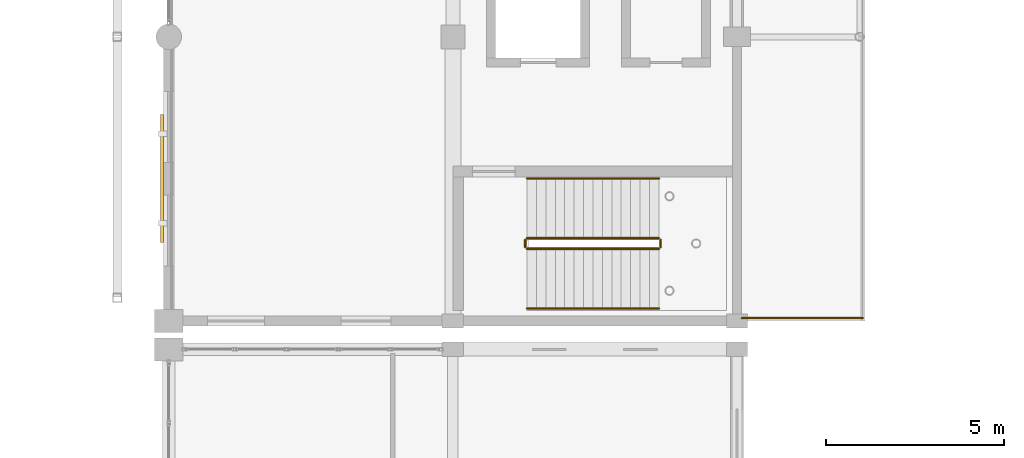
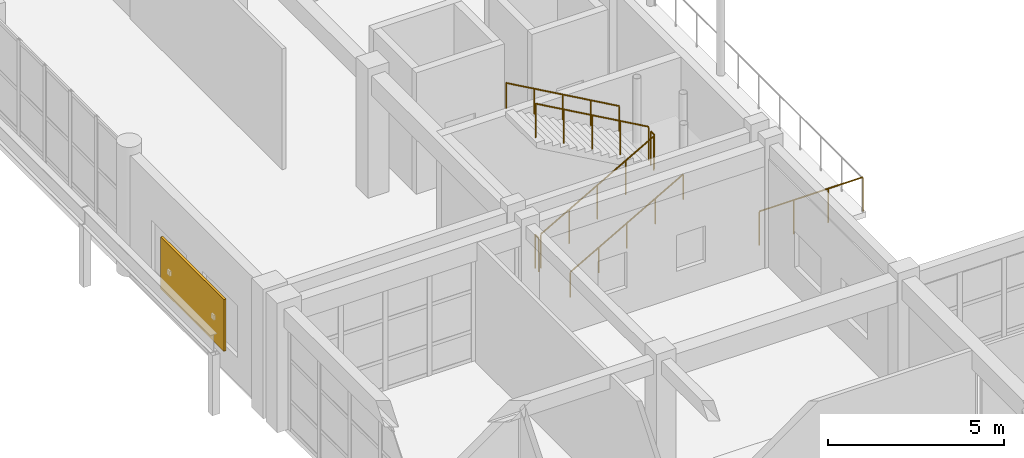
# One storey, part 147 of 160: 7 railings, 1 shading device.
"""IFC4 building model written with IfcOpenShell, lengths in metres."""

from ifc_helpers import new_model, si_unit, direction, frame, origin, origin_2d, place, context, subcontext, project, spatial, rectangle, circle, extrude, material, type_object, element, save


model = new_model("IFC4")

# Units and contexts
model_context = context("Model", 3, precision=1e-05, world=origin(), true_north=direction((0.0, 1.0)))
body_context = subcontext(model_context, "Body", "Model", "MODEL_VIEW")
ifc_project = project(units=[si_unit("LENGTHUNIT", "METRE"), si_unit("AREAUNIT", "SQUARE_METRE"), si_unit("VOLUMEUNIT", "CUBIC_METRE"), si_unit("PLANEANGLEUNIT", "RADIAN"), si_unit("MASSUNIT", "GRAM", prefix="KILO")], contexts=[model_context])

# Site, building, storey
site_placement = place(None, origin())
site = spatial("IfcSite", under=ifc_project, at=site_placement, CompositionType="ELEMENT")
building_placement = place(site_placement, origin())
building = spatial("IfcBuilding", under=site, at=building_placement, Name="Kharva Crest Polytechnic", CompositionType="ELEMENT")
storey_placement = place(building_placement, frame((0.0, 0.0, 4.5)))
storey = spatial("IfcBuildingStorey", under=building, at=storey_placement, Name="L01", CompositionType="ELEMENT", Elevation=4.5)

# Railings
ifc_material_1 = material(Name="Anodised aluminium", Category="aluminium")
railing_type_1 = type_object("IfcRailingType", Name="RL-BALUSTRADE-1200", PredefinedType="BALUSTRADE", material=ifc_material_1)
railing_1_placement = place(storey_placement, frame((48.139892578125, 38.8798828125, 0.0)))
element("IfcRailing", 1, at=railing_1_placement, inside=storey, type_object=railing_type_1, Name="L01 VER_W_L01 S Balustrade 3", PredefinedType="BALUSTRADE", context=body_context, shape_type="SweptSolid", body=[
    extrude(circle(Radius=0.02392578125, at=origin_2d()), frame((0.0, 0.0, 1.17578125), z_axis=(1.0, 0.0, 0.0), x_axis=(0.0, 1.0, 0.0)), (0.0, 0.0, 1.0), 3.400146484375),
    extrude(circle(Radius=0.02099609375, at=origin_2d()), origin(), (0.0, 0.0, 1.0), 1.15185546875),
    extrude(circle(Radius=0.02099609375, at=origin_2d()), frame((1.13330078125, 0.0, 0.0)), (0.0, 0.0, 1.0), 1.15185546875),
    extrude(circle(Radius=0.02099609375, at=origin_2d()), frame((2.266845703125, 0.0, 0.0)), (0.0, 0.0, 1.0), 1.15185546875),
    extrude(circle(Radius=0.02099609375, at=origin_2d()), frame((3.400146484375, 0.0, 0.0)), (0.0, 0.0, 1.0), 1.15185546875),
])
railing_type_2 = type_object("IfcRailingType", Name="RL-STAIR-GUARD-1200", PredefinedType="GUARDRAIL", material=ifc_material_1)
railing_2_placement = place(storey_placement, frame((42.090087890625, 40.830078125, 0.14990234375)))
element("IfcRailing", 2, at=railing_2_placement, inside=storey, type_object=railing_type_2, Name="L01 ST-02 stair guard 1", PredefinedType="GUARDRAIL", context=body_context, shape_type="SweptSolid", body=[
    extrude(circle(Radius=0.02392578125, at=origin_2d()), frame((0.0, 0.0, 1.17578125), z_axis=(0.870244811389, 0.0, 0.492619496418), x_axis=(0.0, 1.0, 0.0)), (0.0, 0.0, 1.0), 4.26318359375),
    extrude(circle(Radius=0.02099609375, at=origin_2d()), origin(), (0.0, 0.0, 1.0), 1.15185546875),
    extrude(circle(Radius=0.02099609375, at=origin_2d()), frame((0.927490234375, 0.0, 0.52490234375)), (0.0, 0.0, 1.0), 1.15185546875),
    extrude(circle(Radius=0.02099609375, at=origin_2d()), frame((1.85498046875, 0.0, 1.050048828125)), (0.0, 0.0, 1.0), 1.15185546875),
    extrude(circle(Radius=0.02099609375, at=origin_2d()), frame((2.782470703125, 0.0, 1.5751953125)), (0.0, 0.0, 1.0), 1.15185546875),
    extrude(circle(Radius=0.02099609375, at=origin_2d()), frame((3.7099609375, 0.0, 2.10009765625)), (0.0, 0.0, 1.0), 1.15185546875),
])
railing_3_placement = place(storey_placement, frame((45.85009765625, 40.8798828125, 2.25)))
element("IfcRailing", 3, at=railing_3_placement, inside=storey, type_object=railing_type_2, Name="L01 ST-02 stair guard 2", PredefinedType="GUARDRAIL", context=body_context, shape_type="SweptSolid", body=[
    extrude(circle(Radius=0.02392578125, at=origin_2d()), frame((0.0, 0.0, 1.17578125), z_axis=(0.0, 1.0, 0.0), x_axis=(-1.0, 0.0, 0.0)), (0.0, 0.0, 1.0), 0.2001953125),
    extrude(circle(Radius=0.02099609375, at=origin_2d()), origin(), (0.0, 0.0, 1.0), 1.15185546875),
    extrude(circle(Radius=0.02099609375, at=origin_2d()), frame((0.0, 0.2001953125, 0.0)), (0.0, 0.0, 1.0), 1.15185546875),
])
railing_4_placement = place(storey_placement, frame((45.800048828125, 41.1298828125, 2.39990234375)))
element("IfcRailing", 4, at=railing_4_placement, inside=storey, type_object=railing_type_2, Name="L01 ST-02 stair guard 3", PredefinedType="GUARDRAIL", context=body_context, shape_type="SweptSolid", body=[
    extrude(circle(Radius=0.02392578125, at=origin_2d()), frame((0.0, 0.0, 1.17578125), z_axis=(-0.870244811389, 0.0, 0.492619496418), x_axis=(0.0, -1.0, 0.0)), (0.0, 0.0, 1.0), 4.26318359375),
    extrude(circle(Radius=0.02099609375, at=origin_2d()), origin(), (0.0, 0.0, 1.0), 1.15185546875),
    extrude(circle(Radius=0.02099609375, at=origin_2d()), frame((-0.927490234375, 0.0, 0.52490234375)), (0.0, 0.0, 1.0), 1.15185546875),
    extrude(circle(Radius=0.02099609375, at=origin_2d()), frame((-1.85498046875, 0.0, 1.050048828125)), (0.0, 0.0, 1.0), 1.15185546875),
    extrude(circle(Radius=0.02099609375, at=origin_2d()), frame((-2.782470703125, 0.0, 1.5751953125)), (0.0, 0.0, 1.0), 1.15185546875),
    extrude(circle(Radius=0.02099609375, at=origin_2d()), frame((-3.7099609375, 0.0, 2.10009765625)), (0.0, 0.0, 1.0), 1.15185546875),
])
railing_5_placement = place(storey_placement, frame((42.0400390625, 40.8798828125, 0.0)))
element("IfcRailing", 5, at=railing_5_placement, inside=storey, type_object=railing_type_2, Name="L01 ST-02 stair guard 4", PredefinedType="GUARDRAIL", context=body_context, shape_type="SweptSolid", body=[
    extrude(circle(Radius=0.02392578125, at=origin_2d()), frame((0.0, 0.0, 1.17578125), z_axis=(0.0, 1.0, 0.0), x_axis=(-1.0, 0.0, 0.0)), (0.0, 0.0, 1.0), 0.2001953125),
    extrude(circle(Radius=0.02099609375, at=origin_2d()), origin(), (0.0, 0.0, 1.0), 1.15185546875),
    extrude(circle(Radius=0.02099609375, at=origin_2d()), frame((0.0, 0.2001953125, 0.0)), (0.0, 0.0, 1.0), 1.15185546875),
])
ifc_material_2 = material(Name="Teak timber", Category="wood")
railing_type_3 = type_object("IfcRailingType", Name="RL-STAIR-HAND-900", PredefinedType="HANDRAIL", material=ifc_material_2)
railing_6_placement = place(storey_placement, frame((42.090087890625, 39.14990234375, 0.14990234375)))
element("IfcRailing", 6, at=railing_6_placement, inside=storey, type_object=railing_type_3, Name="L01 ST-02 stair handrail 1", PredefinedType="HANDRAIL", context=body_context, shape_type="SweptSolid", body=[
    extrude(circle(Radius=0.02392578125, at=origin_2d()), frame((0.0, 0.0, 0.8759765625), z_axis=(0.870244811389, 0.0, 0.492619496418), x_axis=(0.0, 1.0, 0.0)), (0.0, 0.0, 1.0), 4.26318359375),
    extrude(circle(Radius=0.02099609375, at=origin_2d()), origin(), (0.0, 0.0, 1.0), 0.851806640625),
    extrude(circle(Radius=0.02099609375, at=origin_2d()), frame((0.927490234375, 0.0, 0.52490234375)), (0.0, 0.0, 1.0), 0.851806640625),
    extrude(circle(Radius=0.02099609375, at=origin_2d()), frame((1.85498046875, 0.0, 1.050048828125)), (0.0, 0.0, 1.0), 0.851806640625),
    extrude(circle(Radius=0.02099609375, at=origin_2d()), frame((2.782470703125, 0.0, 1.5751953125)), (0.0, 0.0, 1.0), 0.851806640625),
    extrude(circle(Radius=0.02099609375, at=origin_2d()), frame((3.7099609375, 0.0, 2.10009765625)), (0.0, 0.0, 1.0), 0.851806640625),
])
railing_7_placement = place(storey_placement, frame((45.800048828125, 42.81005859375, 2.39990234375)))
element("IfcRailing", 7, at=railing_7_placement, inside=storey, type_object=railing_type_3, Name="L01 ST-02 stair handrail 2", PredefinedType="HANDRAIL", context=body_context, shape_type="SweptSolid", body=[
    extrude(circle(Radius=0.02392578125, at=origin_2d()), frame((0.0, 0.0, 0.8759765625), z_axis=(-0.870244811389, 0.0, 0.492619496418), x_axis=(0.0, -1.0, 0.0)), (0.0, 0.0, 1.0), 4.26318359375),
    extrude(circle(Radius=0.02099609375, at=origin_2d()), origin(), (0.0, 0.0, 1.0), 0.851806640625),
    extrude(circle(Radius=0.02099609375, at=origin_2d()), frame((-0.927490234375, 0.0, 0.52490234375)), (0.0, 0.0, 1.0), 0.851806640625),
    extrude(circle(Radius=0.02099609375, at=origin_2d()), frame((-1.85498046875, 0.0, 1.050048828125)), (0.0, 0.0, 1.0), 0.851806640625),
    extrude(circle(Radius=0.02099609375, at=origin_2d()), frame((-2.782470703125, 0.0, 1.5751953125)), (0.0, 0.0, 1.0), 0.851806640625),
    extrude(circle(Radius=0.02099609375, at=origin_2d()), frame((-3.7099609375, 0.0, 2.10009765625)), (0.0, 0.0, 1.0), 0.851806640625),
])

# Shading device
ifc_material_3 = material(Name="Perforated terracotta", Category="masonry")
shading_device_type = type_object("IfcShadingDeviceType", Name="SHD-JAALI-3600X1800", PredefinedType="USERDEFINED", material=ifc_material_3)
shading_device_placement = place(storey_placement, frame((31.8095703125, 42.808837890625, 0.75), z_axis=(0.0, 0.0, 1.0), x_axis=(0.0, 1.0, 0.0)))
element("IfcShadingDevice", 8, at=shading_device_placement, inside=storey, type_object=shading_device_type, Name="L01 Terracotta Jaali Solar Screen 36", ObjectType="LOUVRE", PredefinedType="USERDEFINED", context=body_context, shape_type="SweptSolid", body=[
    extrude(rectangle(XDim=3.60009765625, YDim=0.080078125, at=origin_2d()), origin(), (0.0, 0.0, 1.0), 1.800048828125),
])

save(model, "model.ifc")
